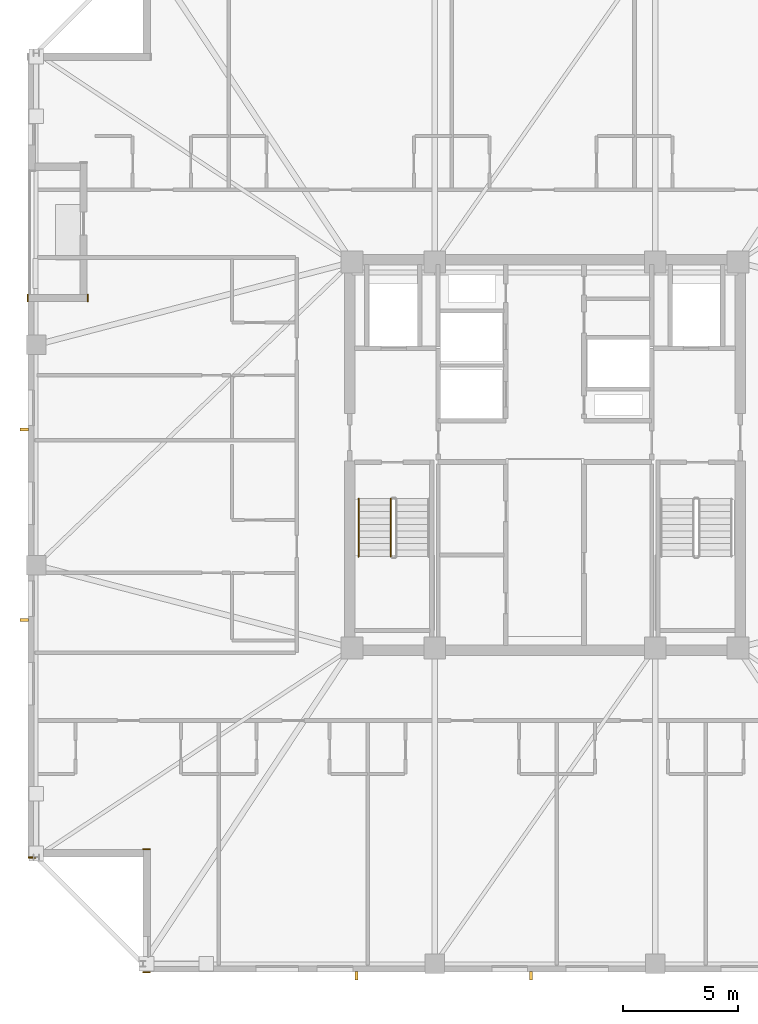
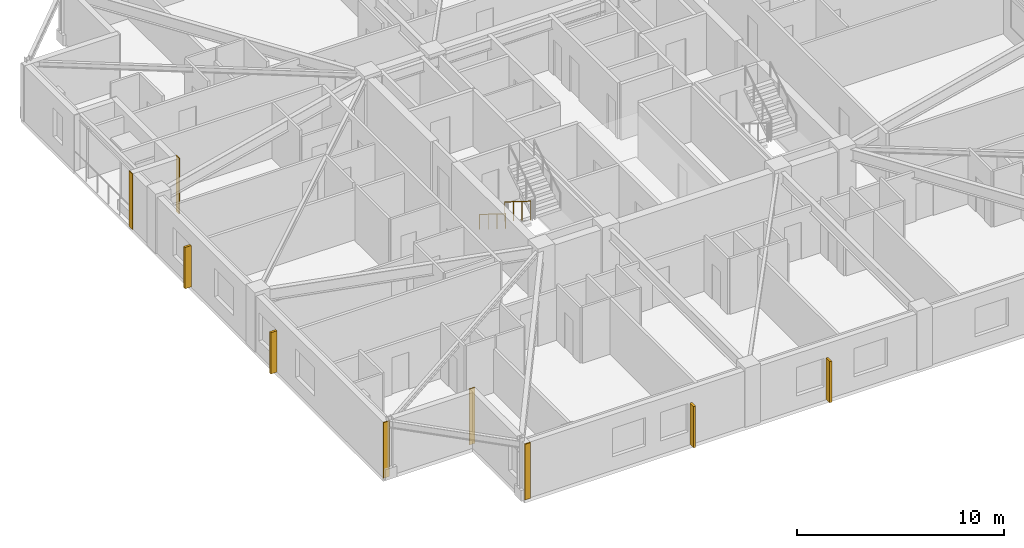
# One storey, part 13 of 17: 5 coverings, 4 shading devices, 2 railings.
"""IFC4 building model written with IfcOpenShell, lengths in metres."""

from ifc_helpers import new_model, si_unit, direction, frame, frame_2d, origin, origin_2d, place, context, subcontext, project, spatial, rectangle, circle, extrude, material, layer, layer_set, type_object, element, save


model = new_model("IFC4")

# Units and contexts
model_context = context("Model", 3, precision=1e-05, world=origin(), true_north=direction((0.0, 1.0)))
body_context = subcontext(model_context, "Body", "Model", "MODEL_VIEW")
ifc_project = project(units=[si_unit("LENGTHUNIT", "METRE"), si_unit("AREAUNIT", "SQUARE_METRE"), si_unit("VOLUMEUNIT", "CUBIC_METRE"), si_unit("PLANEANGLEUNIT", "RADIAN"), si_unit("MASSUNIT", "GRAM", prefix="KILO")], contexts=[model_context])

# Site, building, storey
site_placement = place(None, origin())
site = spatial("IfcSite", under=ifc_project, at=site_placement, CompositionType="ELEMENT")
building_placement = place(site_placement, origin())
building = spatial("IfcBuilding", under=site, at=building_placement, Name="Cairnveth Concourse Tower", CompositionType="ELEMENT")
storey_placement = place(building_placement, frame((0.0, 0.0, 234.0)))
storey = spatial("IfcBuildingStorey", under=building, at=storey_placement, Name="L64", CompositionType="ELEMENT", Elevation=234.0)

# Coverings
ifc_material_1 = material(Name="Dressed Melbourne Bluestone Cladding", Category="masonry")
ifc_layer = layer(ifc_material_1, 0.050048828125)
ifc_layer_set = layer_set([ifc_layer], Name="Dressed Melbourne Bluestone Cladding")
covering_type = type_object("IfcCoveringType", Name="DRESSED BLUESTONE PLINTH CLADDING 50", PredefinedType="CLADDING", material=ifc_layer_set)
for number, where, z_axis, x_axis, name in (
    (1, (34.820068359375, 16.47998046875, 0.0), (0.0, 0.0, 1.0), (-1.0, 0.0, 0.0), "Melbourne Bluestone Corner Quoin L64-969"),
    (2, (34.820068359375, 21.840087890625, 0.0), (0.0, 0.0, 1.0), (-1.0, 0.0, 0.0), "Melbourne Bluestone Corner Quoin L64-970"),
    (3, (29.820068359375, 21.47998046875, 0.0), (0.0, 0.0, 1.0), (-1.0, 0.0, 0.0), "Melbourne Bluestone Corner Quoin L64-971"),
    (4, (29.47998046875, 45.679931640625, 0.0), (0.0, 0.0, 1.0), (0.0, 1.0, 0.0), "Melbourne Bluestone Corner Quoin L64-972"),
    (5, (32.090087890625, 45.679931640625, 0.0), (0.0, 0.0, 1.0), (0.0, 1.0, 0.0), "Melbourne Bluestone Corner Quoin L64-973"),
):
    element("IfcCovering", number, at=place(storey_placement, frame(where, z_axis=z_axis, x_axis=x_axis)), inside=storey, type_object=covering_type, Name=name, PredefinedType="CLADDING", context=body_context, shape_type="SweptSolid", body=[
        extrude(rectangle(XDim=0.320068359375, YDim=0.050048828125, at=frame_2d((0.16015625, 0.0))), origin(), (0.0, 0.0, 1.0), 3.2900390625),
    ])

# Shading devices
ifc_material_2 = material(Name="Architectural Bronze Anodised Aluminium 6063-T6", Category="aluminium")
shading_device_type = type_object("IfcShadingDeviceType", Name="GOTHIC BRONZE VERTICAL LANCET FIN", PredefinedType="USERDEFINED", material=ifc_material_2)
for number, where, z_axis, x_axis, name in (
    (6, (51.396484375, 16.324951171875, 0.030029296875), (0.0, 0.0, 1.0), (1.0, 0.0, 0.0), "Gothic Bronze Vertical Fin L64-9-5"),
    (7, (43.7958984375, 16.324951171875, 0.030029296875), (0.0, 0.0, 1.0), (1.0, 0.0, 0.0), "Gothic Bronze Vertical Fin L64-9-7"),
    (8, (29.324951171875, 31.81591796875, 0.030029296875), (0.0, 0.0, 1.0), (0.0, 1.0, 0.0), "Gothic Bronze Vertical Fin L64-12-3"),
    (9, (29.324951171875, 40.11669921875, 0.030029296875), (0.0, 0.0, 1.0), (0.0, 1.0, 0.0), "Gothic Bronze Vertical Fin L64-12-5"),
):
    element("IfcShadingDevice", number, at=place(storey_placement, frame(where, z_axis=z_axis, x_axis=x_axis)), inside=storey, type_object=shading_device_type, Name=name, ObjectType="VERTICAL FIN", PredefinedType="USERDEFINED", context=body_context, shape_type="SweptSolid", body=[
        extrude(rectangle(XDim=0.1201171875, YDim=0.360107421875, at=origin_2d()), origin(), (0.0, 0.0, 1.0), 2.43798828125),
    ])

# Railings
ifc_material_3 = material(Name="Steel Grade 350", Category="steel")
railing_type_1 = type_object("IfcRailingType", Name="STAIR GUARDRAIL 1150", PredefinedType="GUARDRAIL", material=ifc_material_3)
railing_1_placement = place(storey_placement, frame((45.2900390625, 37.10009765625, 0.175048828125)))
element("IfcRailing", 10, at=railing_1_placement, inside=storey, type_object=railing_type_1, Name="L64 ST-1 stair guard 1", PredefinedType="GUARDRAIL", context=body_context, shape_type="SweptSolid", body=[
    extrude(circle(Radius=0.02392578125, at=origin_2d()), frame((0.0, 0.0, 1.1259765625), z_axis=(0.0, -0.848007534815, 0.529984170421), x_axis=(1.0, 0.0, 0.0)), (0.0, 0.0, 1.0), 2.9716796875),
    extrude(circle(Radius=0.02099609375, at=origin_2d()), origin(), (0.0, 0.0, 1.0), 1.101806640625),
    extrude(circle(Radius=0.02099609375, at=origin_2d()), frame((0.0, -0.840087890625, 0.52490234375)), (0.0, 0.0, 1.0), 1.101806640625),
    extrude(circle(Radius=0.02099609375, at=origin_2d()), frame((0.0, -1.679931640625, 1.050048828125)), (0.0, 0.0, 1.0), 1.101806640625),
    extrude(circle(Radius=0.02099609375, at=origin_2d()), frame((0.0, -2.52001953125, 1.574951171875)), (0.0, 0.0, 1.0), 1.101806640625),
])
railing_type_2 = type_object("IfcRailingType", Name="STAIR WALL HANDRAIL 900", PredefinedType="HANDRAIL", material=ifc_material_3)
railing_2_placement = place(storey_placement, frame((43.889892578125, 37.10009765625, 0.175048828125)))
element("IfcRailing", 11, at=railing_2_placement, inside=storey, type_object=railing_type_2, Name="L64 ST-1 stair handrail 1", PredefinedType="HANDRAIL", context=body_context, shape_type="SweptSolid", body=[
    extrude(circle(Radius=0.02392578125, at=origin_2d()), frame((0.0, 0.0, 0.8759765625), z_axis=(0.0, -0.848007534815, 0.529984170421), x_axis=(1.0, 0.0, 0.0)), (0.0, 0.0, 1.0), 2.9716796875),
    extrude(circle(Radius=0.02099609375, at=origin_2d()), origin(), (0.0, 0.0, 1.0), 0.851806640625),
    extrude(circle(Radius=0.02099609375, at=origin_2d()), frame((0.0, -0.840087890625, 0.52490234375)), (0.0, 0.0, 1.0), 0.851806640625),
    extrude(circle(Radius=0.02099609375, at=origin_2d()), frame((0.0, -1.679931640625, 1.050048828125)), (0.0, 0.0, 1.0), 0.851806640625),
    extrude(circle(Radius=0.02099609375, at=origin_2d()), frame((0.0, -2.52001953125, 1.574951171875)), (0.0, 0.0, 1.0), 0.851806640625),
])

save(model, "model.ifc")
